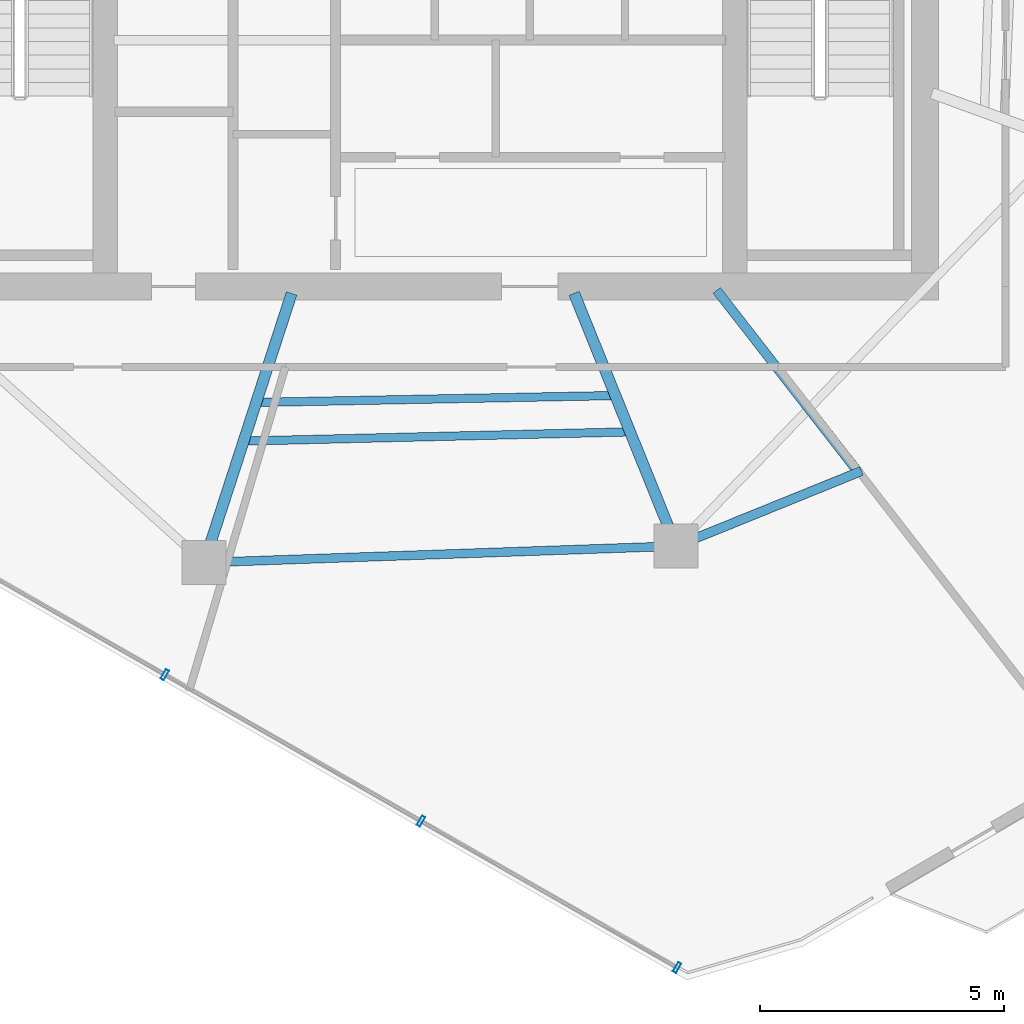
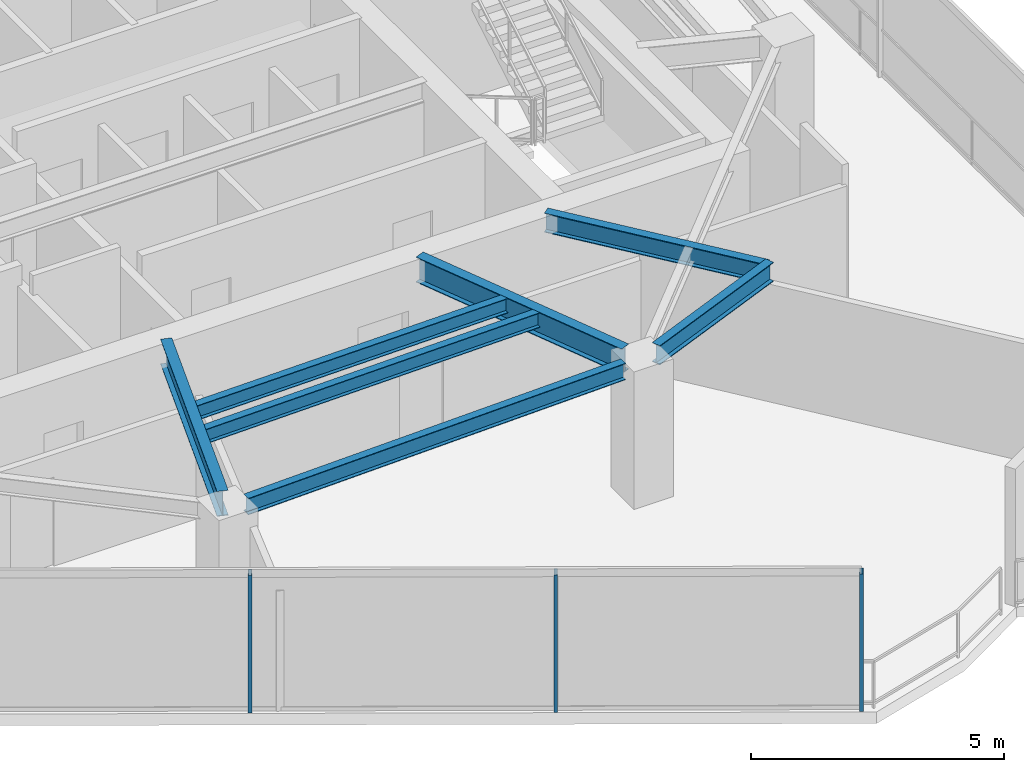
# One storey, part 3 of 19: 7 beams, 3 members, 1 element without a shape of its own.
"""IFC4 building model written with IfcOpenShell, lengths in metres."""

from ifc_helpers import new_model, si_unit, direction, frame, origin, origin_2d, place, context, subcontext, project, spatial, hollow_rectangle, i_section, extrude, material, layer, layer_set, material_profile, profile_set, type_object, element, aggregate, save


model = new_model("IFC4")

# Units and contexts
model_context = context("Model", 3, precision=1e-05, world=origin(), true_north=direction((0.0, 1.0)))
body_context = subcontext(model_context, "Body", "Model", "MODEL_VIEW")
ifc_project = project(units=[si_unit("LENGTHUNIT", "METRE"), si_unit("AREAUNIT", "SQUARE_METRE"), si_unit("VOLUMEUNIT", "CUBIC_METRE"), si_unit("PLANEANGLEUNIT", "RADIAN"), si_unit("MASSUNIT", "GRAM", prefix="KILO")], contexts=[model_context])

# Site, building, storey
site_placement = place(None, origin())
site = spatial("IfcSite", under=ifc_project, at=site_placement, CompositionType="ELEMENT")
building_placement = place(site_placement, origin())
building = spatial("IfcBuilding", under=site, at=building_placement, Name="Qarnah Convention Tower", CompositionType="ELEMENT")
storey_placement = place(building_placement, frame((0.0, 0.0, 180.60009765625)))
storey = spatial("IfcBuildingStorey", under=building, at=storey_placement, Name="L48", CompositionType="ELEMENT", Elevation=180.60009765625)

# Beams
ifc_material_1 = material(Name="Structural steel S355JR", Category="steel")
ifc_material_profile_1 = material_profile(ifc_material_1, i_section(OverallWidth=0.19189453125, OverallDepth=0.464111328125, WebThickness=0.010986328125, FlangeThickness=0.01806640625, at=origin_2d()), Name="W460X89")
ifc_profile_set_1 = profile_set([ifc_material_profile_1], Name="Structural steel S355JR")
beam_type_1 = type_object("IfcBeamType", Name="BM-CANT-W460A", PredefinedType="BEAM", material=ifc_profile_set_1)
beam_1_placement = place(storey_placement, frame((43.3310546875, 18.52099609375, 3.087890625), z_axis=(0.614241094698, -0.789118417973, 0.0), x_axis=(0.789118417973, 0.614241094698, 0.0)))
element("IfcBeam", 1, at=beam_1_placement, inside=storey, type_object=beam_type_1, Name="L48 beam BM-L48-CNT-03-1", PredefinedType="BEAM", context=body_context, shape_type="SweptSolid", body=[
    extrude(i_section(OverallWidth=0.19189453125, OverallDepth=0.464111328125, WebThickness=0.010986328125, FlangeThickness=0.01806640625, at=origin_2d()), origin(), (0.0, 0.0, 1.0), 4.724365234375),
])
beam_2_placement = place(storey_placement, frame((46.298095703125, 14.819091796875, 3.087890625), z_axis=(-0.926735498901, -0.375714406268, 0.0), x_axis=(0.375714406268, -0.926735498901, 0.0)))
element("IfcBeam", 2, at=beam_2_placement, inside=storey, type_object=beam_type_1, Name="L48 spandrel BM-L48-CTIE-03", PredefinedType="SPANDREL", context=body_context, shape_type="SweptSolid", body=[
    extrude(i_section(OverallWidth=0.19189453125, OverallDepth=0.464111328125, WebThickness=0.010986328125, FlangeThickness=0.01806640625, at=origin_2d()), origin(), (0.0, 0.0, 1.0), 3.656982421875),
])
ifc_material_profile_2 = material_profile(ifc_material_1, i_section(OverallWidth=0.172119140625, OverallDepth=0.35595703125, WebThickness=0.007080078125, FlangeThickness=0.011962890625, at=origin_2d()), Name="W360X51")
ifc_profile_set_2 = profile_set([ifc_material_profile_2], Name="Structural steel S355JR")
beam_type_2 = type_object("IfcBeamType", Name="BM-JST-W360", PredefinedType="JOIST", material=ifc_profile_set_2)
beam_3_placement = place(storey_placement, frame((33.72607421875, 15.43408203125, 3.141845703125), z_axis=(0.999714973703, 0.023874072844, 0.0), x_axis=(-0.023874072844, 0.999714973703, 0.0)))
element("IfcBeam", 3, at=beam_3_placement, inside=storey, type_object=beam_type_2, Name="L48 joist BM-L48-SJST-07", PredefinedType="JOIST", context=body_context, shape_type="SweptSolid", body=[
    extrude(i_section(OverallWidth=0.172119140625, OverallDepth=0.35595703125, WebThickness=0.007080078125, FlangeThickness=0.011962890625, at=origin_2d()), origin(), (0.0, 0.0, 1.0), 7.7412109375),
])
beam_4_placement = place(storey_placement, frame((33.98291015625, 16.22607421875, 3.141845703125), z_axis=(0.999815617166, 0.0192023871, 0.0), x_axis=(-0.0192023871, 0.999815617166, 0.0)))
element("IfcBeam", 4, at=beam_4_placement, inside=storey, type_object=beam_type_2, Name="L48 joist BM-L48-IJST-07", PredefinedType="JOIST", context=body_context, shape_type="SweptSolid", body=[
    extrude(i_section(OverallWidth=0.172119140625, OverallDepth=0.35595703125, WebThickness=0.007080078125, FlangeThickness=0.011962890625, at=origin_2d()), origin(), (0.0, 0.0, 1.0), 7.183349609375),
])
ifc_material_profile_3 = material_profile(ifc_material_1, i_section(OverallWidth=0.22802734375, OverallDepth=0.60791015625, WebThickness=0.010986328125, FlangeThickness=0.01708984375, at=origin_2d()), Name="W610X113")
ifc_profile_set_3 = profile_set([ifc_material_profile_3], Name="Structural steel S355JR")
beam_type_3 = type_object("IfcBeamType", Name="BM-RAD-W610B", PredefinedType="BEAM", material=ifc_profile_set_3)
beam_5_placement = place(storey_placement, frame((34.618896484375, 18.45703125, 3.015869140625), z_axis=(-0.309055218988, -0.951044095516, 0.0), x_axis=(0.951044095516, -0.309055218988, 0.0)))
element("IfcBeam", 5, at=beam_5_placement, inside=storey, type_object=beam_type_3, Name="L48 beam BM-L48-RAD-07", PredefinedType="BEAM", context=body_context, shape_type="SweptSolid", body=[
    extrude(i_section(OverallWidth=0.22802734375, OverallDepth=0.60791015625, WebThickness=0.010986328125, FlangeThickness=0.01708984375, at=origin_2d()), origin(), (0.0, 0.0, 1.0), 5.36767578125),
])
beam_6_placement = place(storey_placement, frame((40.407958984375, 18.4609375, 3.015869140625), z_axis=(0.374620360642, -0.927178292127, 0.0), x_axis=(0.927178292127, 0.374620360642, 0.0)))
element("IfcBeam", 6, at=beam_6_placement, inside=storey, type_object=beam_type_3, Name="L48 beam BM-L48-RAD-08", PredefinedType="BEAM", context=body_context, shape_type="SweptSolid", body=[
    extrude(i_section(OverallWidth=0.22802734375, OverallDepth=0.60791015625, WebThickness=0.010986328125, FlangeThickness=0.01708984375, at=origin_2d()), origin(), (0.0, 0.0, 1.0), 5.157470703125),
])
ifc_material_profile_4 = material_profile(ifc_material_1, i_section(OverallWidth=0.179931640625, OverallDepth=0.39990234375, WebThickness=0.009033203125, FlangeThickness=0.013916015625, at=origin_2d()), Name="IPE400")
ifc_profile_set_4 = profile_set([ifc_material_profile_4], Name="Structural steel S355JR")
beam_type_4 = type_object("IfcBeamType", Name="BM-SPN-IPE400", PredefinedType="SPANDREL", material=ifc_profile_set_4)
beam_7_placement = place(storey_placement, frame((33.26708984375, 12.9580078125, 3.119873046875), z_axis=(0.999391645542, 0.034876049374, 0.0), x_axis=(-0.034876049374, 0.999391645542, 0.0)))
element("IfcBeam", 7, at=beam_7_placement, inside=storey, type_object=beam_type_4, Name="L48 spandrel BM-L48-SPN-07", PredefinedType="SPANDREL", context=body_context, shape_type="SweptSolid", body=[
    extrude(i_section(OverallWidth=0.179931640625, OverallDepth=0.39990234375, WebThickness=0.009033203125, FlangeThickness=0.013916015625, at=origin_2d()), origin(), (0.0, 0.0, 1.0), 8.79931640625),
])

# Curtain wall, members
ifc_material_2 = material(Name="Tempered Low-E dark glass", Category="glass")
ifc_layer = layer(ifc_material_2, 0.174072265625)
ifc_layer_set = layer_set([ifc_layer], Name="Tempered Low-E dark glass")
curtain_wall_type = type_object("IfcCurtainWallType", Name="CWS-04", PredefinedType="NOTDEFINED", material=ifc_layer_set)
curtain_wall_placement = place(storey_placement, origin())
curtain_wall = element("IfcCurtainWall", 8, at=curtain_wall_placement, inside=storey, type_object=curtain_wall_type, Name="L48 unitised curtain wall CW-L48-F1", PredefinedType="NOTDEFINED")
ifc_material_3 = material(Name="Black anodised aluminium", Category="aluminium")
ifc_material_profile_5 = material_profile(ifc_material_3, hollow_rectangle(XDim=0.074951171875, YDim=0.219970703125, WallThickness=0.0048828125, at=origin_2d()), Name="MUL-75X220")
ifc_profile_set_5 = profile_set([ifc_material_profile_5], Name="Black anodised aluminium")
member_type = type_object("IfcMemberType", Name="MUL-T4", PredefinedType="MULLION", material=ifc_profile_set_5)
member_1_placement = place(storey_placement, frame((42.51904296875, 4.64111328125, 0.0), z_axis=(0.0, 0.0, 1.0), x_axis=(-0.868118952408, 0.496356207245, 0.0)))
member_1 = element("IfcMember", 9, at=member_1_placement, type_object=member_type, Name="CW-L48-F1 mullion 1", PredefinedType="MULLION", context=body_context, shape_type="SweptSolid", body=[
    extrude(hollow_rectangle(XDim=0.074951171875, YDim=0.219970703125, WallThickness=0.0048828125, at=origin_2d()), origin(), (0.0, 0.0, 1.0), 3.31982421875),
])
member_2_placement = place(storey_placement, frame((37.26953125, 7.642333984375, 0.0), z_axis=(0.0, 0.0, 1.0), x_axis=(-0.868118952408, 0.496356207245, 0.0)))
member_2 = element("IfcMember", 10, at=member_2_placement, type_object=member_type, Name="CW-L48-F1 mullion 2", PredefinedType="MULLION", context=body_context, shape_type="SweptSolid", body=[
    extrude(hollow_rectangle(XDim=0.074951171875, YDim=0.219970703125, WallThickness=0.0048828125, at=origin_2d()), origin(), (0.0, 0.0, 1.0), 3.31982421875),
])
member_3_placement = place(storey_placement, frame((32.020263671875, 10.643798828125, 0.0), z_axis=(0.0, 0.0, 1.0), x_axis=(-0.868118952408, 0.496356207245, 0.0)))
member_3 = element("IfcMember", 11, at=member_3_placement, type_object=member_type, Name="CW-L48-F1 mullion 3", PredefinedType="MULLION", context=body_context, shape_type="SweptSolid", body=[
    extrude(hollow_rectangle(XDim=0.074951171875, YDim=0.219970703125, WallThickness=0.0048828125, at=origin_2d()), origin(), (0.0, 0.0, 1.0), 3.31982421875),
])
aggregate(curtain_wall, [member_1, member_2, member_3])

save(model, "model.ifc")
